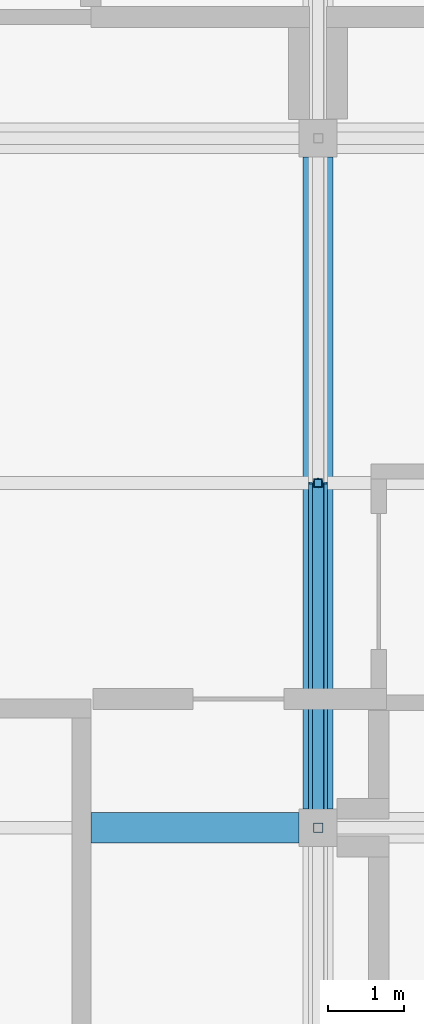
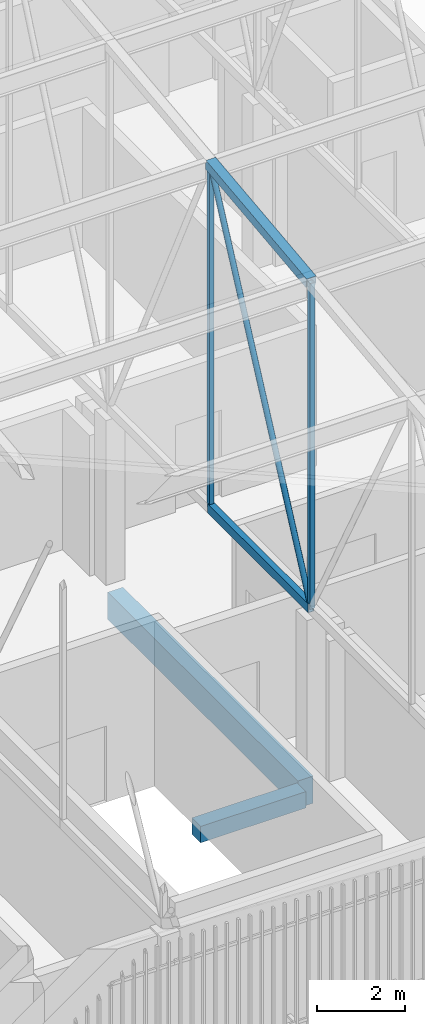
# One storey, part 38 of 500: 5 members, 2 beams.
"""IFC4 building model written with IfcOpenShell, lengths in metres."""

from ifc_helpers import new_model, si_unit, direction, frame, origin, origin_2d, place, context, subcontext, project, spatial, rectangle, hollow_rectangle, hollow_circle, extrude, material, material_profile, profile_set, type_object, element, save


model = new_model("IFC4")

# Units and contexts
model_context = context("Model", 3, precision=1e-05, world=origin(), true_north=direction((0.0, 1.0)))
body_context = subcontext(model_context, "Body", "Model", "MODEL_VIEW")
ifc_project = project(units=[si_unit("LENGTHUNIT", "METRE"), si_unit("AREAUNIT", "SQUARE_METRE"), si_unit("VOLUMEUNIT", "CUBIC_METRE"), si_unit("PLANEANGLEUNIT", "RADIAN"), si_unit("MASSUNIT", "GRAM", prefix="KILO")], contexts=[model_context])

# Site, building, storey
site_placement = place(None, origin())
site = spatial("IfcSite", under=ifc_project, at=site_placement, CompositionType="ELEMENT")
building_placement = place(site_placement, origin())
building = spatial("IfcBuilding", under=site, at=building_placement, Name="Shirokan Park Arena", CompositionType="ELEMENT")
storey_placement = place(building_placement, frame((0.0, 0.0, 29.1201171875)))
storey = spatial("IfcBuildingStorey", under=building, at=storey_placement, Name="L06", CompositionType="ELEMENT", Elevation=29.1201171875)

# Member
ifc_material_1 = material(Name="Steel ASTM A500 Grade C", Category="steel")
ifc_material_profile_1 = material_profile(ifc_material_1, hollow_rectangle(XDim=0.152099609375, YDim=0.25390625, WallThickness=0.009521484375, at=origin_2d()), Name="HSS254X152.4X9.5")
ifc_profile_set_1 = profile_set([ifc_material_profile_1], Name="Steel ASTM A500 Grade C")
member_type_1 = type_object("IfcMemberType", Name="Bottom chord HSS254X152.4X9.5", PredefinedType="CHORD", material=ifc_profile_set_1)
member_1_placement = place(storey_placement, frame((27.300048828125, 9.10009765625, 4.677001953125), z_axis=(0.0, 1.0, 0.0), x_axis=(-1.0, 0.0, 0.0)))
element("IfcMember", 1, at=member_1_placement, inside=storey, type_object=member_type_1, Name="Truss T04 bottom chord 5", PredefinedType="CHORD", context=body_context, shape_type="SweptSolid", body=[
    extrude(hollow_rectangle(XDim=0.152099609375, YDim=0.25390625, WallThickness=0.009521484375, at=origin_2d()), origin(), (0.0, 0.0, 1.0), 4.5498046875),
])

# Beams
ifc_material_2 = material(Name="Concrete C35", Category="concrete")
ifc_material_profile_2 = material_profile(ifc_material_2, rectangle(XDim=0.39990234375, YDim=0.75, at=origin_2d()), Name="400x750")
ifc_profile_set_2 = profile_set([ifc_material_profile_2], Name="Concrete C35")
beam_type_1 = type_object("IfcBeamType", Name="RC girder 400x750", PredefinedType="BEAM", material=ifc_profile_set_2)
beam_1_placement = place(storey_placement, frame((27.300048828125, 9.35009765625, -0.5751953125), z_axis=(0.0, 1.0, 0.0), x_axis=(-1.0, 0.0, 0.0)))
element("IfcBeam", 2, at=beam_1_placement, inside=storey, type_object=beam_type_1, Name="Girder 4B-4C L06", PredefinedType="BEAM", context=body_context, shape_type="SweptSolid", body=[
    extrude(rectangle(XDim=0.39990234375, YDim=0.75, at=origin_2d()), origin(), (0.0, 0.0, 1.0), 8.599853515625),
])
ifc_material_profile_3 = material_profile(ifc_material_2, rectangle(XDim=0.39990234375, YDim=0.449951171875, at=origin_2d()), Name="400x450")
ifc_profile_set_3 = profile_set([ifc_material_profile_3], Name="Concrete C35")
beam_type_2 = type_object("IfcBeamType", Name="RC trimmer 400x450", PredefinedType="BEAM", material=ifc_profile_set_3)
beam_2_placement = place(storey_placement, frame((24.300048828125, 9.10009765625, -0.425048828125), z_axis=(1.0, 0.0, 0.0), x_axis=(0.0, 1.0, 0.0)))
element("IfcBeam", 3, at=beam_2_placement, inside=storey, type_object=beam_type_2, Name="Girder 3B-4B L06", PredefinedType="BEAM", context=body_context, shape_type="SweptSolid", body=[
    extrude(rectangle(XDim=0.39990234375, YDim=0.449951171875, at=origin_2d()), origin(), (0.0, 0.0, 1.0), 2.749755859375),
])

# Members
ifc_material_profile_4 = material_profile(ifc_material_1, hollow_rectangle(XDim=0.25390625, YDim=0.25390625, WallThickness=0.009521484375, at=origin_2d()), Name="HSS254X254X9.5")
ifc_profile_set_4 = profile_set([ifc_material_profile_4], Name="Steel ASTM A500 Grade C")
member_type_2 = type_object("IfcMemberType", Name="Top chord HSS254X254X9.5", PredefinedType="CHORD", material=ifc_profile_set_4)
member_2_placement = place(storey_placement, frame((27.300048828125, 9.10009765625, 13.662841796875), z_axis=(0.0, 0.993531641592, 0.11355561261), x_axis=(-1.0, 0.0, 0.0)))
element("IfcMember", 4, at=member_2_placement, inside=storey, type_object=member_type_2, Name="Truss T04 top chord 5", PredefinedType="CHORD", context=body_context, shape_type="SweptSolid", body=[
    extrude(hollow_rectangle(XDim=0.25390625, YDim=0.25390625, WallThickness=0.009521484375, at=origin_2d()), origin(), (0.0, 0.0, 1.0), 4.579345703125),
])
ifc_material_profile_5 = material_profile(ifc_material_1, hollow_circle(Radius=0.070556640625, WallThickness=0.006591796875, at=origin_2d()), Name="HSS141.3X6.6")
ifc_profile_set_5 = profile_set([ifc_material_profile_5], Name="Steel ASTM A500 Grade C")
member_type_3 = type_object("IfcMemberType", Name="Truss diagonal HSS141.3X6.6", PredefinedType="BRACE", material=ifc_profile_set_5)
member_3_placement = place(storey_placement, frame((27.300048828125, 9.10009765625, 4.677001953125), z_axis=(0.0, 0.431727628527, 0.90200402148), x_axis=(-1.0, 0.0, 0.0)))
element("IfcMember", 5, at=member_3_placement, inside=storey, type_object=member_type_3, Name="Truss T04 diagonal 5", PredefinedType="BRACE", context=body_context, shape_type="SweptSolid", body=[
    extrude(hollow_circle(Radius=0.070556640625, WallThickness=0.006591796875, at=origin_2d()), origin(), (0.0, 0.0, 1.0), 10.53857421875),
])
ifc_material_profile_6 = material_profile(ifc_material_1, hollow_rectangle(XDim=0.114013671875, YDim=0.114013671875, WallThickness=0.00634765625, at=origin_2d()), Name="HSS114.3X114.3X6.4")
ifc_profile_set_6 = profile_set([ifc_material_profile_6], Name="Steel ASTM A500 Grade C")
member_type_4 = type_object("IfcMemberType", Name="Truss post HSS114.3X114.3X6.4", PredefinedType="POST", material=ifc_profile_set_6)
member_4_placement = place(storey_placement, frame((27.300048828125, 13.64990234375, 4.677001953125), z_axis=(0.0, 0.0, 1.0), x_axis=(1.0, 0.0, 0.0)))
element("IfcMember", 6, at=member_4_placement, inside=storey, type_object=member_type_4, Name="Truss T04 post 6", PredefinedType="POST", context=body_context, shape_type="SweptSolid", body=[
    extrude(hollow_rectangle(XDim=0.114013671875, YDim=0.114013671875, WallThickness=0.00634765625, at=origin_2d()), origin(), (0.0, 0.0, 1.0), 9.505859375),
])
ifc_material_profile_7 = material_profile(ifc_material_1, hollow_rectangle(XDim=0.126953125, YDim=0.126953125, WallThickness=0.008056640625, at=origin_2d()), Name="HSS127X127X7.9")
ifc_profile_set_7 = profile_set([ifc_material_profile_7], Name="Steel ASTM A500 Grade C")
member_type_5 = type_object("IfcMemberType", Name="Truss post HSS127X127X7.9", PredefinedType="POST", material=ifc_profile_set_7)
member_5_placement = place(storey_placement, frame((27.300048828125, 9.10009765625, 4.677001953125), z_axis=(0.0, 0.0, 1.0), x_axis=(1.0, 0.0, 0.0)))
element("IfcMember", 7, at=member_5_placement, inside=storey, type_object=member_type_5, Name="Truss T04 post 5", PredefinedType="POST", context=body_context, shape_type="SweptSolid", body=[
    extrude(hollow_rectangle(XDim=0.126953125, YDim=0.126953125, WallThickness=0.008056640625, at=origin_2d()), origin(), (0.0, 0.0, 1.0), 8.98583984375),
])

save(model, "model.ifc")
